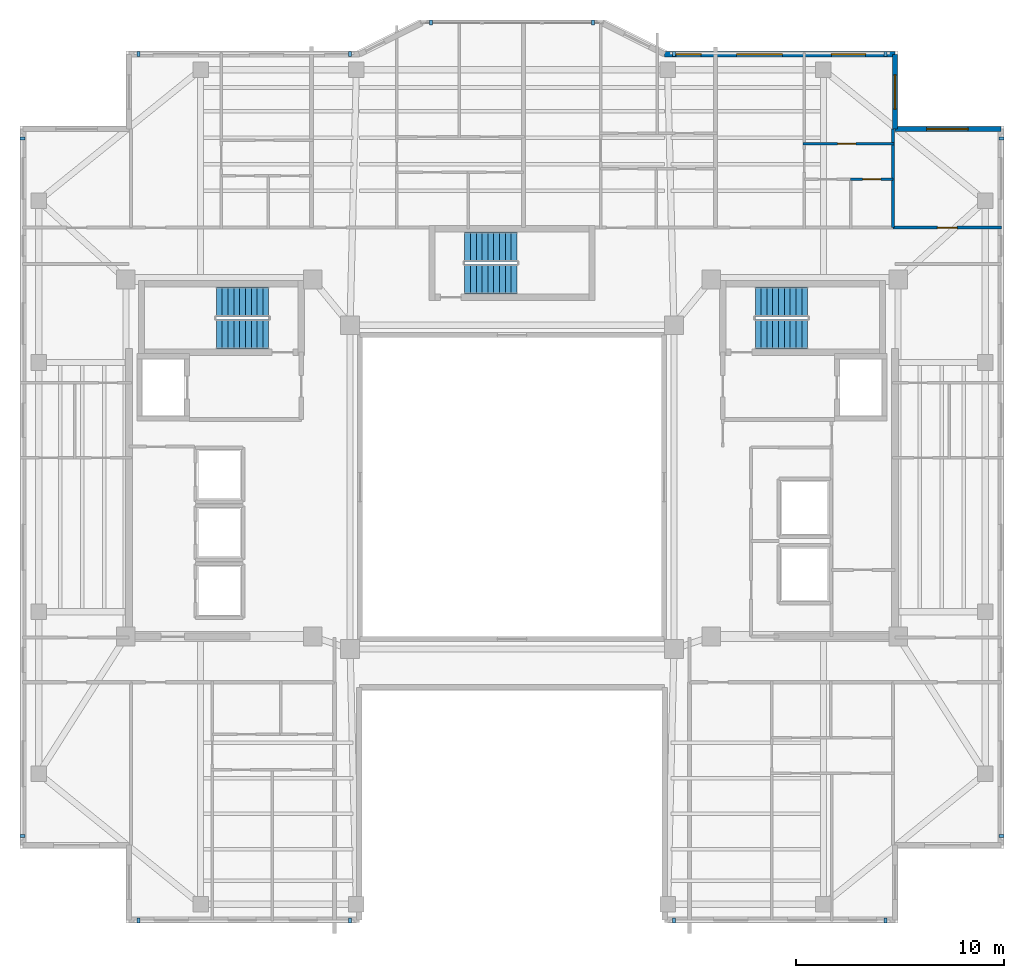
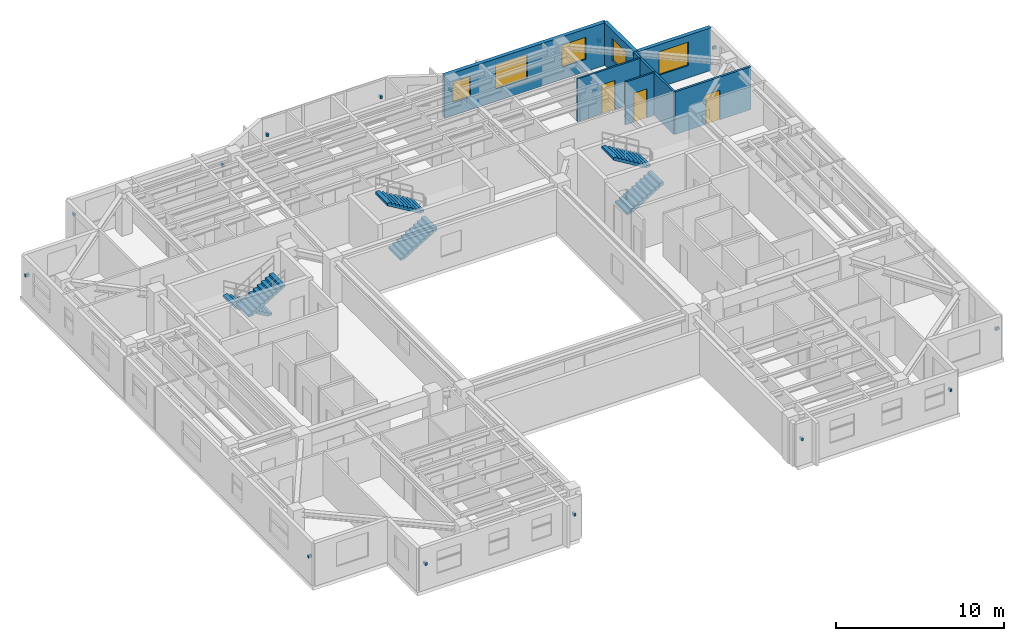
# One storey, part 9 of 12: 14 discrete accessories, 7 walls, 6 stair flights, 5 windows, 3 doors, 8 openings, 3 elements without a shape of their own.
"""IFC4 building model written with IfcOpenShell, lengths in metres."""

from ifc_helpers import new_model, si_unit, direction, frame, frame_2d, origin, origin_2d, place, context, subcontext, project, spatial, polyline, rectangle, outline, extrude, material, layer, layer_set, type_object, element, fill, aggregate, save


model = new_model("IFC4")

# Units and contexts
model_context = context("Model", 3, precision=1e-05, world=origin(), true_north=direction((0.0, 1.0)))
body_context = subcontext(model_context, "Body", "Model", "MODEL_VIEW")
ifc_project = project(units=[si_unit("LENGTHUNIT", "METRE"), si_unit("AREAUNIT", "SQUARE_METRE"), si_unit("VOLUMEUNIT", "CUBIC_METRE"), si_unit("PLANEANGLEUNIT", "RADIAN"), si_unit("MASSUNIT", "GRAM", prefix="KILO")], contexts=[model_context])

# Site, building, storey
site_placement = place(None, origin())
site = spatial("IfcSite", under=ifc_project, at=site_placement, CompositionType="ELEMENT")
building_placement = place(site_placement, origin())
building = spatial("IfcBuilding", under=site, at=building_placement, Name="Tarnavaz Court Tower", CompositionType="ELEMENT")
storey_placement = place(building_placement, frame((0.0, 0.0, 203.64990234375)))
storey = spatial("IfcBuildingStorey", under=building, at=storey_placement, Name="L55", CompositionType="ELEMENT", Elevation=203.64990234375)

# Wall, openings, windows
ifc_material_1 = material(Name="Precast Concrete C40/50", Category="concrete")
ifc_layer_1 = layer(ifc_material_1, 0.260009765625)
ifc_layer_set_1 = layer_set([ifc_layer_1], Name="Precast Concrete C40/50")
wall_type_1 = type_object("IfcWallType", Name="WL-EXT-260", PredefinedType="SOLIDWALL", material=ifc_layer_set_1)
wall_1_placement = place(storey_placement, frame((7.35009765625, 20.85009765625, 0.0), z_axis=(0.0, 0.0, 1.0), x_axis=(1.0, 0.0, 0.0)))
wall_1 = element("IfcWall", 1, at=wall_1_placement, inside=storey, type_object=wall_type_1, Name="L55 Exterior Terracotta Facade Wall 09", PredefinedType="SOLIDWALL", context=body_context, shape_type="SweptSolid", body=[
    extrude(rectangle(XDim=11.099853515625, YDim=0.260009765625, at=frame_2d((5.5498046875, 0.0))), origin(), (0.0, 0.0, 1.0), 3.10009765625),
])
opening_1_placement = place(wall_1_placement, frame((0.55517578125, 0.0, 0.949951171875)))
opening_1 = element("IfcOpeningElement", 2, at=opening_1_placement, cuts=wall_1, Name="Opening W05", PredefinedType="OPENING", context=body_context, shape_type="SweptSolid", body=[
    extrude(rectangle(XDim=1.199951171875, YDim=1.5, at=frame_2d((0.60009765625, 0.75))), frame((0.0, 0.139892578125, 0.0), z_axis=(0.0, -1.0, 0.0), x_axis=(1.0, 0.0, 0.0)), (0.0, 0.0, 1.0), 0.280029296875),
])
opening_2_placement = place(wall_1_placement, frame((3.470703125, 0.0, 0.89990234375)))
opening_2 = element("IfcOpeningElement", 3, at=opening_2_placement, cuts=wall_1, Name="Opening W07", PredefinedType="OPENING", context=body_context, shape_type="SweptSolid", body=[
    extrude(rectangle(XDim=2.199951171875, YDim=1.75, at=frame_2d((1.10009765625, 0.875))), frame((0.0, 0.139892578125, 0.0), z_axis=(0.0, -1.0, 0.0), x_axis=(1.0, 0.0, 0.0)), (0.0, 0.0, 1.0), 0.280029296875),
])
opening_3_placement = place(wall_1_placement, frame((8.039794921875, 0.0, 0.89990234375)))
opening_3 = element("IfcOpeningElement", 4, at=opening_3_placement, cuts=wall_1, Name="Opening W02", PredefinedType="OPENING", context=body_context, shape_type="SweptSolid", body=[
    extrude(rectangle(XDim=1.64990234375, YDim=1.60009765625, at=frame_2d((0.824951171875, 0.800048828125))), frame((0.0, 0.139892578125, 0.0), z_axis=(0.0, -1.0, 0.0), x_axis=(1.0, 0.0, 0.0)), (0.0, 0.0, 1.0), 0.280029296875),
])
ifc_material_2 = material(Name="Double-Glazed Solar Low-E Glass", Category="glass")
window_type_1 = type_object("IfcWindowType", Name="WN-APT-1200", PartitioningType="SINGLE_PANEL", PredefinedType="WINDOW", material=ifc_material_2)
window_1_placement = place(opening_1_placement, origin())
window_1 = element("IfcWindow", 5, at=window_1_placement, inside=storey, type_object=window_type_1, Name="L55 Flat 03 Bedroom 2 Window", OverallHeight=1.5, OverallWidth=1.199951171875, PartitioningType="SINGLE_PANEL", PredefinedType="WINDOW", context=body_context, shape_type="SweptSolid", body=[
    extrude(rectangle(XDim=1.199951171875, YDim=1.5, at=frame_2d((0.60009765625, 0.75))), frame((0.0, 0.030029296875, 0.0), z_axis=(0.0, -1.0, 0.0), x_axis=(1.0, 0.0, 0.0)), (0.0, 0.0, 1.0), 0.06005859375),
])
fill(opening_1, window_1)
window_type_2 = type_object("IfcWindowType", Name="WN-APT-1650", PartitioningType="DOUBLE_PANEL_VERTICAL", PredefinedType="WINDOW", material=ifc_material_2)
window_2_placement = place(opening_3_placement, origin())
window_2 = element("IfcWindow", 6, at=window_2_placement, inside=storey, type_object=window_type_2, Name="L55 Flat 04 Bedroom 1 Window", OverallHeight=1.60009765625, OverallWidth=1.64990234375, PartitioningType="SINGLE_PANEL", PredefinedType="WINDOW", context=body_context, shape_type="SweptSolid", body=[
    extrude(rectangle(XDim=1.64990234375, YDim=1.60009765625, at=frame_2d((0.824951171875, 0.800048828125))), frame((0.0, 0.030029296875, 0.0), z_axis=(0.0, -1.0, 0.0), x_axis=(1.0, 0.0, 0.0)), (0.0, 0.0, 1.0), 0.06005859375),
])
fill(opening_3, window_2)
window_type_3 = type_object("IfcWindowType", Name="WN-APT-2200", PartitioningType="TRIPLE_PANEL_VERTICAL", PredefinedType="WINDOW", material=ifc_material_2)
window_3_placement = place(opening_2_placement, origin())
window_3 = element("IfcWindow", 7, at=window_3_placement, inside=storey, type_object=window_type_3, Name="L55 Flat 04 Living and Dining Room Window", OverallHeight=1.75, OverallWidth=2.199951171875, PartitioningType="SINGLE_PANEL", PredefinedType="WINDOW", context=body_context, shape_type="SweptSolid", body=[
    extrude(rectangle(XDim=2.199951171875, YDim=1.75, at=frame_2d((1.10009765625, 0.875))), frame((0.0, 0.030029296875, 0.0), z_axis=(0.0, -1.0, 0.0), x_axis=(1.0, 0.0, 0.0)), (0.0, 0.0, 1.0), 0.06005859375),
])
fill(opening_2, window_3)

# Wall, opening, window
wall_2_placement = place(storey_placement, frame((18.449951171875, 20.85009765625, 0.0), z_axis=(0.0, 0.0, 1.0), x_axis=(0.0, -1.0, 0.0)))
wall_2 = element("IfcWall", 8, at=wall_2_placement, inside=storey, type_object=wall_type_1, Name="L55 Exterior Terracotta Facade Wall 10", PredefinedType="SOLIDWALL", context=body_context, shape_type="SweptSolid", body=[
    extrude(rectangle(XDim=3.60009765625, YDim=0.260009765625, at=frame_2d((1.800048828125, 0.0))), origin(), (0.0, 0.0, 1.0), 3.10009765625),
])
opening_4_placement = place(wall_2_placement, frame((0.992431640625, 0.0, 0.89990234375)))
opening_4 = element("IfcOpeningElement", 9, at=opening_4_placement, cuts=wall_2, Name="Opening W02", PredefinedType="OPENING", context=body_context, shape_type="SweptSolid", body=[
    extrude(rectangle(XDim=1.64990234375, YDim=1.60009765625, at=frame_2d((0.824951171875, 0.800048828125))), frame((0.0, 0.139892578125, 0.0), z_axis=(0.0, -1.0, 0.0), x_axis=(1.0, 0.0, 0.0)), (0.0, 0.0, 1.0), 0.280029296875),
])
window_4_placement = place(opening_4_placement, origin())
window_4 = element("IfcWindow", 10, at=window_4_placement, inside=storey, type_object=window_type_2, Name="L55 Flat 04 Bedroom 1 Window", OverallHeight=1.60009765625, OverallWidth=1.64990234375, PartitioningType="SINGLE_PANEL", PredefinedType="WINDOW", context=body_context, shape_type="SweptSolid", body=[
    extrude(rectangle(XDim=1.64990234375, YDim=1.60009765625, at=frame_2d((0.824951171875, 0.800048828125))), frame((0.0, 0.030029296875, 0.0), z_axis=(0.0, -1.0, 0.0), x_axis=(1.0, 0.0, 0.0)), (0.0, 0.0, 1.0), 0.06005859375),
])
fill(opening_4, window_4)

wall_3_placement = place(storey_placement, frame((18.449951171875, 17.25, 0.0), z_axis=(0.0, 0.0, 1.0), x_axis=(1.0, 0.0, 0.0)))
wall_3 = element("IfcWall", 11, at=wall_3_placement, inside=storey, type_object=wall_type_1, Name="L55 Exterior Terracotta Facade Wall 11", PredefinedType="SOLIDWALL", context=body_context, shape_type="SweptSolid", body=[
    extrude(rectangle(XDim=5.10009765625, YDim=0.260009765625, at=frame_2d((2.550048828125, 0.0))), origin(), (0.0, 0.0, 1.0), 3.10009765625),
])
opening_5_placement = place(wall_3_placement, frame((1.52490234375, 0.0, 0.89990234375)))
opening_5 = element("IfcOpeningElement", 12, at=opening_5_placement, cuts=wall_3, Name="Opening W08", PredefinedType="OPENING", context=body_context, shape_type="SweptSolid", body=[
    extrude(rectangle(XDim=2.0, YDim=1.699951171875, at=frame_2d((1.0, 0.85009765625))), frame((0.0, 0.139892578125, 0.0), z_axis=(0.0, -1.0, 0.0), x_axis=(1.0, 0.0, 0.0)), (0.0, 0.0, 1.0), 0.280029296875),
])
window_type_4 = type_object("IfcWindowType", Name="WN-APT-2000", PartitioningType="DOUBLE_PANEL_VERTICAL", PredefinedType="WINDOW", material=ifc_material_2)
window_5_placement = place(opening_5_placement, origin())
window_5 = element("IfcWindow", 13, at=window_5_placement, inside=storey, type_object=window_type_4, Name="L55 North-East Corner Sunroom Study Window", OverallHeight=1.699951171875, OverallWidth=2.0, PartitioningType="SINGLE_PANEL", PredefinedType="WINDOW", context=body_context, shape_type="SweptSolid", body=[
    extrude(rectangle(XDim=2.0, YDim=1.699951171875, at=frame_2d((1.0, 0.85009765625))), frame((0.0, 0.030029296875, 0.0), z_axis=(0.0, -1.0, 0.0), x_axis=(1.0, 0.0, 0.0)), (0.0, 0.0, 1.0), 0.06005859375),
])
fill(opening_5, window_5)

# Wall, opening, door
ifc_material_3 = material(Name="Gypsum Fire-Board on Acoustic Metal Stud", Category="masonry")
ifc_layer_2 = layer(ifc_material_3, 0.14990234375)
ifc_layer_set_2 = layer_set([ifc_layer_2], Name="Gypsum Fire-Board on Acoustic Metal Stud")
wall_type_2 = type_object("IfcWallType", Name="WL-FIRE-150", PredefinedType="PARTITIONING", material=ifc_layer_set_2)
wall_4_placement = place(storey_placement, frame((18.35009765625, 12.5, 0.0), z_axis=(0.0, 0.0, 1.0), x_axis=(1.0, 0.0, 0.0)))
wall_4 = element("IfcWall", 14, at=wall_4_placement, inside=storey, type_object=wall_type_2, Name="L55 Interior Partition 112", PredefinedType="PARTITIONING", context=body_context, shape_type="SweptSolid", body=[
    extrude(rectangle(XDim=5.22998046875, YDim=0.14990234375, at=frame_2d((2.614990234375, 0.0))), origin(), (0.0, 0.0, 1.0), 3.10009765625),
])
opening_6_placement = place(wall_4_placement, frame((2.139892578125, 0.0, 0.0)))
opening_6 = element("IfcOpeningElement", 15, at=opening_6_placement, cuts=wall_4, Name="Opening D13", PredefinedType="OPENING", context=body_context, shape_type="SweptSolid", body=[
    extrude(rectangle(XDim=0.949951171875, YDim=2.14990234375, at=frame_2d((0.47509765625, 1.074951171875))), frame((0.0, 0.0849609375, 0.0), z_axis=(0.0, -1.0, 0.0), x_axis=(1.0, 0.0, 0.0)), (0.0, 0.0, 1.0), 0.169921875),
])
ifc_material_4 = material(Name="Engineered Oak Timber", Category="wood")
door_type_1 = type_object("IfcDoorType", Name="DR-INT-950", OperationType="NOTDEFINED", PredefinedType="DOOR", material=ifc_material_4)
door_1_placement = place(opening_6_placement, origin())
door_1 = element("IfcDoor", 16, at=door_1_placement, inside=storey, type_object=door_type_1, Name="L55 NE Sunroom Door", OperationType="SINGLE_SWING_LEFT", OverallHeight=2.14990234375, OverallWidth=0.949951171875, PredefinedType="DOOR", context=body_context, shape_type="SweptSolid", body=[
    extrude(rectangle(XDim=0.949951171875, YDim=2.14990234375, at=frame_2d((0.47509765625, 1.074951171875))), frame((0.0, 0.02490234375, 0.0), z_axis=(0.0, -1.0, 0.0), x_axis=(1.0, 0.0, 0.0)), (0.0, 0.0, 1.0), 0.050048828125),
])
fill(opening_6, door_1)

ifc_material_5 = material(Name="Moisture-Resistant Gypsum Board Partition", Category="masonry")
ifc_layer_3 = layer(ifc_material_5, 0.1201171875)
ifc_layer_set_3 = layer_set([ifc_layer_3], Name="Moisture-Resistant Gypsum Board Partition")
wall_type_3 = type_object("IfcWallType", Name="WL-PART-120", PredefinedType="PARTITIONING", material=ifc_layer_set_3)
wall_5_placement = place(storey_placement, frame((16.31005859375, 14.830078125, 0.0), z_axis=(0.0, 0.0, 1.0), x_axis=(1.0, 0.0, 0.0)))
wall_5 = element("IfcWall", 17, at=wall_5_placement, inside=storey, type_object=wall_type_3, Name="L55 Interior Partition 086", PredefinedType="PARTITIONING", context=body_context, shape_type="SweptSolid", body=[
    extrude(rectangle(XDim=2.0400390625, YDim=0.1201171875, at=frame_2d((1.02001953125, 0.0))), origin(), (0.0, 0.0, 1.0), 3.10009765625),
])
opening_7_placement = place(wall_5_placement, frame((0.580078125, 0.0, 0.0)))
opening_7 = element("IfcOpeningElement", 18, at=opening_7_placement, cuts=wall_5, Name="Opening D14", PredefinedType="OPENING", context=body_context, shape_type="SweptSolid", body=[
    extrude(rectangle(XDim=0.8798828125, YDim=2.10009765625, at=frame_2d((0.43994140625, 1.050048828125))), frame((0.0, 0.070068359375, 0.0), z_axis=(0.0, -1.0, 0.0), x_axis=(1.0, 0.0, 0.0)), (0.0, 0.0, 1.0), 0.14013671875),
])
door_type_2 = type_object("IfcDoorType", Name="DR-INT-900", OperationType="NOTDEFINED", PredefinedType="DOOR", material=ifc_material_4)
door_2_placement = place(opening_7_placement, origin())
door_2 = element("IfcDoor", 19, at=door_2_placement, inside=storey, type_object=door_type_2, Name="L55 Flat 04 Bathroom Door", OperationType="SINGLE_SWING_RIGHT", OverallHeight=2.10009765625, OverallWidth=0.8798828125, PredefinedType="DOOR", context=body_context, shape_type="SweptSolid", body=[
    extrude(rectangle(XDim=0.8798828125, YDim=2.10009765625, at=frame_2d((0.43994140625, 1.050048828125))), frame((0.0, 0.02490234375, 0.0), z_axis=(0.0, -1.0, 0.0), x_axis=(1.0, 0.0, 0.0)), (0.0, 0.0, 1.0), 0.050048828125),
])
fill(opening_7, door_2)

wall_6_placement = place(storey_placement, frame((14.01806640625, 16.5400390625, 0.0), z_axis=(0.0, 0.0, 1.0), x_axis=(1.0, 0.0, 0.0)))
wall_6 = element("IfcWall", 20, at=wall_6_placement, inside=storey, type_object=wall_type_3, Name="L55 Interior Partition 087", PredefinedType="PARTITIONING", context=body_context, shape_type="SweptSolid", body=[
    extrude(rectangle(XDim=4.391845703125, YDim=0.1201171875, at=frame_2d((2.19580078125, 0.0))), origin(), (0.0, 0.0, 1.0), 3.10009765625),
])
opening_8_placement = place(wall_6_placement, frame((1.666015625, 0.0, 0.0)))
opening_8 = element("IfcOpeningElement", 21, at=opening_8_placement, cuts=wall_6, Name="Opening D14", PredefinedType="OPENING", context=body_context, shape_type="SweptSolid", body=[
    extrude(rectangle(XDim=0.8798828125, YDim=2.10009765625, at=frame_2d((0.43994140625, 1.050048828125))), frame((0.0, 0.070068359375, 0.0), z_axis=(0.0, -1.0, 0.0), x_axis=(1.0, 0.0, 0.0)), (0.0, 0.0, 1.0), 0.14013671875),
])
door_3_placement = place(opening_8_placement, origin())
door_3 = element("IfcDoor", 22, at=door_3_placement, inside=storey, type_object=door_type_2, Name="L55 Flat 04 Bedroom 1 Door", OperationType="SINGLE_SWING_LEFT", OverallHeight=2.10009765625, OverallWidth=0.8798828125, PredefinedType="DOOR", context=body_context, shape_type="SweptSolid", body=[
    extrude(rectangle(XDim=0.8798828125, YDim=2.10009765625, at=frame_2d((0.43994140625, 1.050048828125))), frame((0.0, 0.02490234375, 0.0), z_axis=(0.0, -1.0, 0.0), x_axis=(1.0, 0.0, 0.0)), (0.0, 0.0, 1.0), 0.050048828125),
])
fill(opening_8, door_3)

# Wall
ifc_material_6 = material(Name="Gypsum Plasterboard Acoustic Partition", Category="masonry")
ifc_layer_4 = layer(ifc_material_6, 0.139892578125)
ifc_layer_set_4 = layer_set([ifc_layer_4], Name="Gypsum Plasterboard Acoustic Partition")
wall_type_4 = type_object("IfcWallType", Name="WL-PART-150", PredefinedType="PARTITIONING", material=ifc_layer_set_4)
wall_7_placement = place(storey_placement, frame((18.35009765625, 12.5, 0.0), z_axis=(0.0, 0.0, 1.0), x_axis=(0.0, 1.0, 0.0)))
element("IfcWall", 23, at=wall_7_placement, inside=storey, type_object=wall_type_4, Name="L55 Interior Partition 110", PredefinedType="PARTITIONING", context=body_context, shape_type="SweptSolid", body=[
    extrude(rectangle(XDim=4.75, YDim=0.139892578125, at=frame_2d((2.375, 0.0))), origin(), (0.0, 0.0, 1.0), 3.10009765625),
])

# Stair, stair flights
ifc_material_7 = material(Name="Concrete C40/50", Category="concrete")
stair_type = type_object("IfcStairType", Name="ST-TWR-20R", PredefinedType="HALF_TURN_STAIR", material=ifc_material_7)
stair_1_placement = place(storey_placement, origin())
stair_1 = element("IfcStair", 24, at=stair_1_placement, inside=storey, type_object=stair_type, Name="L55 West Core Pressurized Exit Stair ST-W1", PredefinedType="HALF_TURN_STAIR")
stair_flight_type = type_object("IfcStairFlightType", Name="SFL-RC-20R", PredefinedType="STRAIGHT", material=ifc_material_7)
stair_flight_1_placement = place(storey_placement, frame((-11.719970703125, 8.929931640625, 0.0), z_axis=(0.0, 0.0, 1.0), x_axis=(-1.0, 0.0, 0.0)))
stair_flight_1 = element("IfcStairFlight", 25, at=stair_flight_1_placement, type_object=stair_flight_type, Name="ST-W1 flight 1", NumberOfRisers=10, NumberOfTreads=9, PredefinedType="STRAIGHT", RiserHeight=0.1675, TreadLength=0.28, context=body_context, shape_type="SweptSolid", body=[
    extrude(outline(polyline([(0.0, 0.0), (0.0, 0.16748046875), (0.280029296875, 0.16748046875), (0.280029296875, 0.3349609375), (0.56005859375, 0.3349609375), (0.56005859375, 0.50244140625), (0.840087890625, 0.50244140625), (0.840087890625, 0.669921875), (1.1201171875, 0.669921875), (1.1201171875, 0.83740234375), (1.39990234375, 0.83740234375), (1.39990234375, 1.0048828125), (1.679931640625, 1.0048828125), (1.679931640625, 1.172607421875), (1.9599609375, 1.172607421875), (1.9599609375, 1.340087890625), (2.239990234375, 1.340087890625), (2.239990234375, 1.507568359375), (2.52001953125, 1.507568359375), (2.52001953125, 1.675048828125), (2.52001953125, 1.332763671875), (0.2919921875, 0.0), (0.0, 0.0)])), frame((0.0, 0.7099609375, 0.0), z_axis=(0.0, -1.0, 0.0), x_axis=(1.0, 0.0, 0.0)), (0.0, 0.0, 1.0), 1.419921875),
])
stair_flight_2_placement = place(storey_placement, frame((-14.239990234375, 7.360107421875, 1.675048828125), z_axis=(0.0, 0.0, 1.0), x_axis=(1.0, 0.0, 0.0)))
stair_flight_2 = element("IfcStairFlight", 26, at=stair_flight_2_placement, type_object=stair_flight_type, Name="ST-W1 flight 2", NumberOfRisers=10, NumberOfTreads=9, PredefinedType="STRAIGHT", RiserHeight=0.1675, TreadLength=0.28, context=body_context, shape_type="SweptSolid", body=[
    extrude(outline(polyline([(0.0, 0.0), (0.0, 0.16748046875), (0.280029296875, 0.16748046875), (0.280029296875, 0.3349609375), (0.56005859375, 0.3349609375), (0.56005859375, 0.50244140625), (0.840087890625, 0.50244140625), (0.840087890625, 0.669921875), (1.1201171875, 0.669921875), (1.1201171875, 0.83740234375), (1.39990234375, 0.83740234375), (1.39990234375, 1.0048828125), (1.679931640625, 1.0048828125), (1.679931640625, 1.172607421875), (1.9599609375, 1.172607421875), (1.9599609375, 1.340087890625), (2.239990234375, 1.340087890625), (2.239990234375, 1.507568359375), (2.52001953125, 1.507568359375), (2.52001953125, 1.675048828125), (2.52001953125, 1.332763671875), (0.2919921875, 0.0), (0.0, 0.0)])), frame((0.0, 0.7099609375, 0.0), z_axis=(0.0, -1.0, 0.0), x_axis=(1.0, 0.0, 0.0)), (0.0, 0.0, 1.0), 1.419921875),
])
aggregate(stair_1, [stair_flight_1, stair_flight_2])

stair_2_placement = place(storey_placement, origin())
stair_2 = element("IfcStair", 27, at=stair_2_placement, inside=storey, type_object=stair_type, Name="L55 East Core Pressurized Exit Stair ST-E1", PredefinedType="HALF_TURN_STAIR")
stair_flight_3_placement = place(storey_placement, frame((11.719970703125, 7.360107421875, 0.0), z_axis=(0.0, 0.0, 1.0), x_axis=(1.0, 0.0, 0.0)))
stair_flight_3 = element("IfcStairFlight", 28, at=stair_flight_3_placement, type_object=stair_flight_type, Name="ST-E1 flight 1", NumberOfRisers=10, NumberOfTreads=9, PredefinedType="STRAIGHT", RiserHeight=0.1675, TreadLength=0.28, context=body_context, shape_type="SweptSolid", body=[
    extrude(outline(polyline([(0.0, 0.0), (0.0, 0.16748046875), (0.280029296875, 0.16748046875), (0.280029296875, 0.3349609375), (0.56005859375, 0.3349609375), (0.56005859375, 0.50244140625), (0.840087890625, 0.50244140625), (0.840087890625, 0.669921875), (1.1201171875, 0.669921875), (1.1201171875, 0.83740234375), (1.39990234375, 0.83740234375), (1.39990234375, 1.0048828125), (1.679931640625, 1.0048828125), (1.679931640625, 1.172607421875), (1.9599609375, 1.172607421875), (1.9599609375, 1.340087890625), (2.239990234375, 1.340087890625), (2.239990234375, 1.507568359375), (2.52001953125, 1.507568359375), (2.52001953125, 1.675048828125), (2.52001953125, 1.332763671875), (0.2919921875, 0.0), (0.0, 0.0)])), frame((0.0, 0.7099609375, 0.0), z_axis=(0.0, -1.0, 0.0), x_axis=(1.0, 0.0, 0.0)), (0.0, 0.0, 1.0), 1.419921875),
])
stair_flight_4_placement = place(storey_placement, frame((14.239990234375, 8.929931640625, 1.675048828125), z_axis=(0.0, 0.0, 1.0), x_axis=(-1.0, 0.0, 0.0)))
stair_flight_4 = element("IfcStairFlight", 29, at=stair_flight_4_placement, type_object=stair_flight_type, Name="ST-E1 flight 2", NumberOfRisers=10, NumberOfTreads=9, PredefinedType="STRAIGHT", RiserHeight=0.1675, TreadLength=0.28, context=body_context, shape_type="SweptSolid", body=[
    extrude(outline(polyline([(0.0, 0.0), (0.0, 0.16748046875), (0.280029296875, 0.16748046875), (0.280029296875, 0.3349609375), (0.56005859375, 0.3349609375), (0.56005859375, 0.50244140625), (0.840087890625, 0.50244140625), (0.840087890625, 0.669921875), (1.1201171875, 0.669921875), (1.1201171875, 0.83740234375), (1.39990234375, 0.83740234375), (1.39990234375, 1.0048828125), (1.679931640625, 1.0048828125), (1.679931640625, 1.172607421875), (1.9599609375, 1.172607421875), (1.9599609375, 1.340087890625), (2.239990234375, 1.340087890625), (2.239990234375, 1.507568359375), (2.52001953125, 1.507568359375), (2.52001953125, 1.675048828125), (2.52001953125, 1.332763671875), (0.2919921875, 0.0), (0.0, 0.0)])), frame((0.0, 0.7099609375, 0.0), z_axis=(0.0, -1.0, 0.0), x_axis=(1.0, 0.0, 0.0)), (0.0, 0.0, 1.0), 1.419921875),
])
aggregate(stair_2, [stair_flight_3, stair_flight_4])

stair_3_placement = place(storey_placement, origin())
stair_3 = element("IfcStair", 30, at=stair_3_placement, inside=storey, type_object=stair_type, Name="L55 North Ring Pressurized Exit Stair ST-N1", PredefinedType="HALF_TURN_STAIR")
stair_flight_5_placement = place(storey_placement, frame((-2.280029296875, 10.010009765625, 0.0), z_axis=(0.0, 0.0, 1.0), x_axis=(1.0, 0.0, 0.0)))
stair_flight_5 = element("IfcStairFlight", 31, at=stair_flight_5_placement, type_object=stair_flight_type, Name="ST-N1 flight 1", NumberOfRisers=10, NumberOfTreads=9, PredefinedType="STRAIGHT", RiserHeight=0.1675, TreadLength=0.28, context=body_context, shape_type="SweptSolid", body=[
    extrude(outline(polyline([(0.0, 0.0), (0.0, 0.16748046875), (0.280029296875, 0.16748046875), (0.280029296875, 0.3349609375), (0.56005859375, 0.3349609375), (0.56005859375, 0.50244140625), (0.840087890625, 0.50244140625), (0.840087890625, 0.669921875), (1.1201171875, 0.669921875), (1.1201171875, 0.83740234375), (1.39990234375, 0.83740234375), (1.39990234375, 1.0048828125), (1.679931640625, 1.0048828125), (1.679931640625, 1.172607421875), (1.9599609375, 1.172607421875), (1.9599609375, 1.340087890625), (2.239990234375, 1.340087890625), (2.239990234375, 1.507568359375), (2.52001953125, 1.507568359375), (2.52001953125, 1.675048828125), (2.52001953125, 1.332763671875), (0.2919921875, 0.0), (0.0, 0.0)])), frame((0.0, 0.7099609375, 0.0), z_axis=(0.0, -1.0, 0.0), x_axis=(1.0, 0.0, 0.0)), (0.0, 0.0, 1.0), 1.419921875),
])
stair_flight_6_placement = place(storey_placement, frame((0.239990234375, 11.580078125, 1.675048828125), z_axis=(0.0, 0.0, 1.0), x_axis=(-1.0, 0.0, 0.0)))
stair_flight_6 = element("IfcStairFlight", 32, at=stair_flight_6_placement, type_object=stair_flight_type, Name="ST-N1 flight 2", NumberOfRisers=10, NumberOfTreads=9, PredefinedType="STRAIGHT", RiserHeight=0.1675, TreadLength=0.28, context=body_context, shape_type="SweptSolid", body=[
    extrude(outline(polyline([(0.0, 0.0), (0.0, 0.16748046875), (0.280029296875, 0.16748046875), (0.280029296875, 0.3349609375), (0.56005859375, 0.3349609375), (0.56005859375, 0.50244140625), (0.840087890625, 0.50244140625), (0.840087890625, 0.669921875), (1.1201171875, 0.669921875), (1.1201171875, 0.83740234375), (1.39990234375, 0.83740234375), (1.39990234375, 1.0048828125), (1.679931640625, 1.0048828125), (1.679931640625, 1.172607421875), (1.9599609375, 1.172607421875), (1.9599609375, 1.340087890625), (2.239990234375, 1.340087890625), (2.239990234375, 1.507568359375), (2.52001953125, 1.507568359375), (2.52001953125, 1.675048828125), (2.52001953125, 1.332763671875), (0.2919921875, 0.0), (0.0, 0.0)])), frame((0.0, 0.7099609375, 0.0), z_axis=(0.0, -1.0, 0.0), x_axis=(1.0, 0.0, 0.0)), (0.0, 0.0, 1.0), 1.419921875),
])
aggregate(stair_3, [stair_flight_5, stair_flight_6])

# Discrete accessories
ifc_material_8 = material(Name="Anodised Aluminium 6063-T6", Category="aluminium")
discrete_accessory_type = type_object("IfcDiscreteAccessoryType", Name="DA-BRKT-ALU", PredefinedType="BRACKET", material=ifc_material_8)
for number, where, z_axis, x_axis, name in (
    (33, (-23.570068359375, -16.800048828125, 1.75), (0.0, 0.0, 1.0), (0.0, 1.0, 0.0), "L55 Baguette Outrigger Bracket FBG02-1"),
    (34, (-23.570068359375, 16.800048828125, 1.75), (0.0, 0.0, 1.0), (0.0, 1.0, 0.0), "L55 Baguette Outrigger Bracket FBG02-2"),
    (35, (-18.0, 20.8701171875, 1.75), (0.0, 0.0, 1.0), (1.0, 0.0, 0.0), "L55 Baguette Outrigger Bracket FBG05-1"),
    (36, (-7.800048828125, 20.8701171875, 1.75), (0.0, 0.0, 1.0), (1.0, 0.0, 0.0), "L55 Baguette Outrigger Bracket FBG05-2"),
    (37, (-3.89990234375, 22.3701171875, 1.7001953125), (0.0, 0.0, 1.0), (1.0, 0.0, 0.0), "L55 Baguette Outrigger Bracket PBG7-1"),
    (38, (3.89990234375, 22.3701171875, 1.7001953125), (0.0, 0.0, 1.0), (1.0, 0.0, 0.0), "L55 Baguette Outrigger Bracket PBG7-2"),
    (39, (7.800048828125, 20.8701171875, 1.75), (0.0, 0.0, 1.0), (1.0, 0.0, 0.0), "L55 Baguette Outrigger Bracket FBG09-1"),
    (40, (18.0, 20.8701171875, 1.75), (0.0, 0.0, 1.0), (1.0, 0.0, 0.0), "L55 Baguette Outrigger Bracket FBG09-2"),
    (41, (23.570068359375, 16.800048828125, 1.75), (0.0, 0.0, 1.0), (0.0, -1.0, 0.0), "L55 Baguette Outrigger Bracket FBG12-1"),
    (42, (23.570068359375, -16.800048828125, 1.75), (0.0, 0.0, 1.0), (0.0, -1.0, 0.0), "L55 Baguette Outrigger Bracket FBG12-2"),
    (43, (18.0, -20.8701171875, 1.75), (0.0, 0.0, 1.0), (-1.0, 0.0, 0.0), "L55 Baguette Outrigger Bracket FBG15-1"),
    (44, (7.800048828125, -20.8701171875, 1.75), (0.0, 0.0, 1.0), (-1.0, 0.0, 0.0), "L55 Baguette Outrigger Bracket FBG15-2"),
    (45, (-7.800048828125, -20.8701171875, 1.75), (0.0, 0.0, 1.0), (-1.0, 0.0, 0.0), "L55 Baguette Outrigger Bracket FBG19-1"),
    (46, (-18.0, -20.8701171875, 1.75), (0.0, 0.0, 1.0), (-1.0, 0.0, 0.0), "L55 Baguette Outrigger Bracket FBG19-2"),
):
    element("IfcDiscreteAccessory", number, at=place(storey_placement, frame(where, z_axis=z_axis, x_axis=x_axis)), inside=storey, type_object=discrete_accessory_type, Name=name, PredefinedType="BRACKET", context=body_context, shape_type="SweptSolid", body=[
        extrude(rectangle(XDim=0.139892578125, YDim=0.239990234375, at=origin_2d()), origin(), (0.0, 0.0, 1.0), 0.199951171875),
    ])

save(model, "model.ifc")
